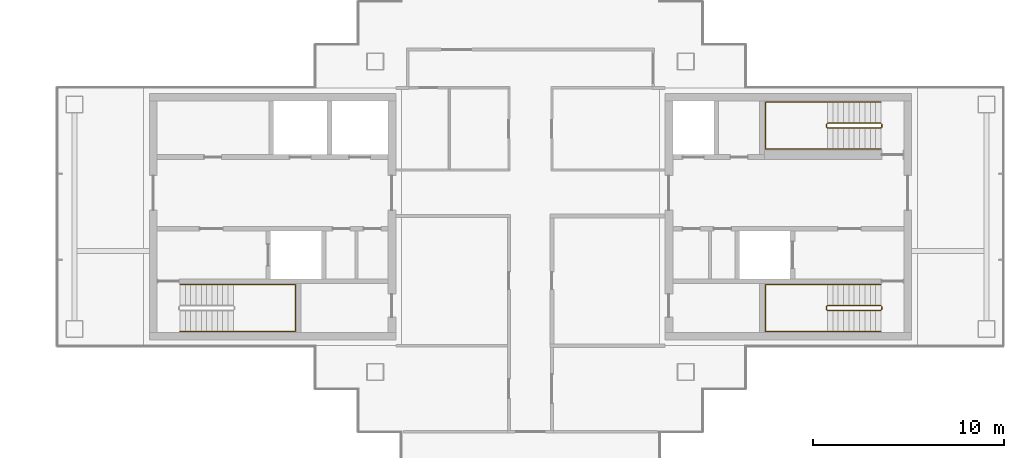
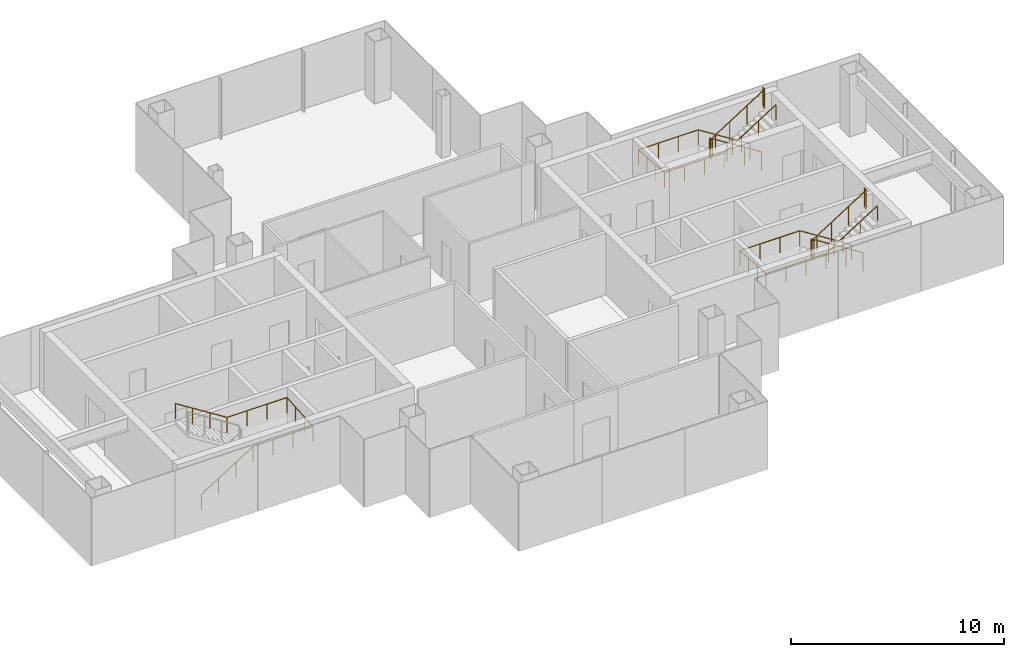
# One storey, part 15 of 16: 5 railings.
"""IFC4 building model written with IfcOpenShell, lengths in metres."""

from ifc_helpers import new_model, si_unit, direction, frame, origin, origin_2d, place, context, subcontext, project, spatial, circle, extrude, material, type_object, element, save


model = new_model("IFC4")

# Units and contexts
model_context = context("Model", 3, precision=1e-05, world=origin(), true_north=direction((0.0, 1.0)))
body_context = subcontext(model_context, "Body", "Model", "MODEL_VIEW")
ifc_project = project(units=[si_unit("LENGTHUNIT", "METRE"), si_unit("AREAUNIT", "SQUARE_METRE"), si_unit("VOLUMEUNIT", "CUBIC_METRE"), si_unit("PLANEANGLEUNIT", "RADIAN"), si_unit("MASSUNIT", "GRAM", prefix="KILO")], contexts=[model_context])

# Site, building, storey
site_placement = place(None, origin())
site = spatial("IfcSite", under=ifc_project, at=site_placement, CompositionType="ELEMENT")
building_placement = place(site_placement, origin())
building = spatial("IfcBuilding", under=site, at=building_placement, Name="Shamsa Quay Exchange Towers", CompositionType="ELEMENT")
storey_placement = place(building_placement, frame((0.0, 0.0, 261.60009765625)))
storey = spatial("IfcBuildingStorey", under=building, at=storey_placement, Name="L63", CompositionType="ELEMENT", Elevation=261.60009765625)

# Railings
ifc_material = material(Name="Stainless steel", Category="steel")
railing_type_1 = type_object("IfcRailingType", Name="STAIR GUARD 1100", PredefinedType="GUARDRAIL", material=ifc_material)
railing_1_placement = place(storey_placement, frame((52.10009765625, -4.64990234375, 0.17724609375)))
element("IfcRailing", 1, at=railing_1_placement, inside=storey, type_object=railing_type_1, Name="L63 ST5 stair guard 1", PredefinedType="GUARDRAIL", context=body_context, shape_type="SweptSolid", body=[
    extrude(circle(Radius=0.02392578125, at=origin_2d()), frame((0.0, 0.0, 1.076171875), z_axis=(-0.844908973607, 0.0, 0.534910110503), x_axis=(0.0, -1.0, 0.0)), (0.0, 0.0, 1.0), 3.31396484375),
    extrude(circle(Radius=0.02392578125, at=origin_2d()), frame((-2.800048828125, 0.0, 2.8486328125), z_axis=(-0.707106781187, -0.707106781187, 0.0), x_axis=(0.707106781187, -0.707106781187, 0.0)), (0.0, 0.0, 1.0), 0.07080078125),
    extrude(circle(Radius=0.02392578125, at=origin_2d()), frame((-2.85009765625, -0.050048828125, 2.8486328125), z_axis=(0.0, -1.0, 0.0), x_axis=(1.0, 0.0, 0.0)), (0.0, 0.0, 1.0), 0.150146484375),
    extrude(circle(Radius=0.02392578125, at=origin_2d()), frame((-2.85009765625, -0.2001953125, 2.8486328125), z_axis=(0.262321481514, -0.261041864531, 0.929001929653), x_axis=(0.705375805398, 0.708833529934, 0.0)), (0.0, 0.0, 1.0), 0.190673828125),
    extrude(circle(Radius=0.02392578125, at=origin_2d()), frame((-2.800048828125, -0.25, 3.02587890625), z_axis=(0.844908973607, 0.0, 0.534910110503), x_axis=(0.0, 1.0, 0.0)), (0.0, 0.0, 1.0), 3.31396484375),
    extrude(circle(Radius=0.02392578125, at=origin_2d()), frame((0.0, -0.25, 4.798828125), z_axis=(0.241699205484, 0.970351222016, 0.0), x_axis=(-0.970351222016, 0.241699205484, 0.0)), (0.0, 0.0, 1.0), 0.2060546875),
    extrude(circle(Radius=0.02392578125, at=origin_2d()), frame((0.0498046875, -0.050048828125, 4.798828125), z_axis=(0.0, -1.0, 0.0), x_axis=(1.0, 0.0, 0.0)), (0.0, 0.0, 1.0), 0.150146484375),
    extrude(circle(Radius=0.02099609375, at=origin_2d()), origin(), (0.0, 0.0, 1.0), 1.052001953125),
    extrude(circle(Radius=0.02099609375, at=origin_2d()), frame((-0.933349609375, 0.0, 0.5908203125)), (0.0, 0.0, 1.0), 1.052001953125),
    extrude(circle(Radius=0.02099609375, at=origin_2d()), frame((-1.86669921875, 0.0, 1.181884765625)), (0.0, 0.0, 1.0), 1.052001953125),
    extrude(circle(Radius=0.02099609375, at=origin_2d()), frame((-2.800048828125, 0.0, 1.772705078125)), (0.0, 0.0, 1.0), 1.052001953125),
    extrude(circle(Radius=0.02099609375, at=origin_2d()), frame((-2.85009765625, -0.050048828125, 1.772705078125)), (0.0, 0.0, 1.0), 1.052001953125),
    extrude(circle(Radius=0.02099609375, at=origin_2d()), frame((-2.85009765625, -0.2001953125, 1.772705078125)), (0.0, 0.0, 1.0), 1.052001953125),
    extrude(circle(Radius=0.02099609375, at=origin_2d()), frame((-2.800048828125, -0.25, 1.949951171875)), (0.0, 0.0, 1.0), 1.052001953125),
    extrude(circle(Radius=0.02099609375, at=origin_2d()), frame((-1.86669921875, -0.25, 2.540771484375)), (0.0, 0.0, 1.0), 1.052001953125),
    extrude(circle(Radius=0.02099609375, at=origin_2d()), frame((-0.933349609375, -0.25, 3.1318359375)), (0.0, 0.0, 1.0), 1.052001953125),
    extrude(circle(Radius=0.02099609375, at=origin_2d()), frame((0.0, -0.25, 3.72265625)), (0.0, 0.0, 1.0), 1.052001953125),
    extrude(circle(Radius=0.02099609375, at=origin_2d()), frame((0.0498046875, -0.050048828125, 3.72265625)), (0.0, 0.0, 1.0), 1.052001953125),
    extrude(circle(Radius=0.02099609375, at=origin_2d()), frame((0.0498046875, -0.2001953125, 3.72265625)), (0.0, 0.0, 1.0), 1.052001953125),
])
railing_2_placement = place(storey_placement, frame((52.10009765625, 4.89990234375, 0.17724609375)))
element("IfcRailing", 2, at=railing_2_placement, inside=storey, type_object=railing_type_1, Name="L63 ST6 stair guard 1", PredefinedType="GUARDRAIL", context=body_context, shape_type="SweptSolid", body=[
    extrude(circle(Radius=0.02392578125, at=origin_2d()), frame((0.0, 0.0, 1.076171875), z_axis=(-0.844908973607, 0.0, 0.534910110503), x_axis=(0.0, -1.0, 0.0)), (0.0, 0.0, 1.0), 3.31396484375),
    extrude(circle(Radius=0.02392578125, at=origin_2d()), frame((-2.800048828125, 0.0, 2.8486328125), z_axis=(-0.708833529934, -0.705375805398, 0.0), x_axis=(0.705375805398, -0.708833529934, 0.0)), (0.0, 0.0, 1.0), 0.070556640625),
    extrude(circle(Radius=0.02392578125, at=origin_2d()), frame((-2.85009765625, -0.0498046875, 2.8486328125), z_axis=(0.0, -1.0, 0.0), x_axis=(1.0, 0.0, 0.0)), (0.0, 0.0, 1.0), 0.150146484375),
    extrude(circle(Radius=0.02392578125, at=origin_2d()), frame((-2.85009765625, -0.199951171875, 2.8486328125), z_axis=(0.262233686654, -0.262233686654, 0.928691007369), x_axis=(0.707106781187, 0.707106781187, 0.0)), (0.0, 0.0, 1.0), 0.19091796875),
    extrude(circle(Radius=0.02392578125, at=origin_2d()), frame((-2.800048828125, -0.25, 3.02587890625), z_axis=(0.844908973607, 0.0, 0.534910110503), x_axis=(0.0, 1.0, 0.0)), (0.0, 0.0, 1.0), 3.31396484375),
    extrude(circle(Radius=0.02392578125, at=origin_2d()), frame((0.0, -0.25, 4.798828125), z_axis=(0.24142163986, 0.970420317083, 0.0), x_axis=(-0.970420317083, 0.24142163986, 0.0)), (0.0, 0.0, 1.0), 0.206298828125),
    extrude(circle(Radius=0.02392578125, at=origin_2d()), frame((0.0498046875, -0.0498046875, 4.798828125), z_axis=(0.0, -1.0, 0.0), x_axis=(1.0, 0.0, 0.0)), (0.0, 0.0, 1.0), 0.150146484375),
    extrude(circle(Radius=0.02099609375, at=origin_2d()), origin(), (0.0, 0.0, 1.0), 1.052001953125),
    extrude(circle(Radius=0.02099609375, at=origin_2d()), frame((-0.933349609375, 0.0, 0.5908203125)), (0.0, 0.0, 1.0), 1.052001953125),
    extrude(circle(Radius=0.02099609375, at=origin_2d()), frame((-1.86669921875, 0.0, 1.181884765625)), (0.0, 0.0, 1.0), 1.052001953125),
    extrude(circle(Radius=0.02099609375, at=origin_2d()), frame((-2.800048828125, 0.0, 1.772705078125)), (0.0, 0.0, 1.0), 1.052001953125),
    extrude(circle(Radius=0.02099609375, at=origin_2d()), frame((-2.85009765625, -0.0498046875, 1.772705078125)), (0.0, 0.0, 1.0), 1.052001953125),
    extrude(circle(Radius=0.02099609375, at=origin_2d()), frame((-2.85009765625, -0.199951171875, 1.772705078125)), (0.0, 0.0, 1.0), 1.052001953125),
    extrude(circle(Radius=0.02099609375, at=origin_2d()), frame((-2.800048828125, -0.25, 1.949951171875)), (0.0, 0.0, 1.0), 1.052001953125),
    extrude(circle(Radius=0.02099609375, at=origin_2d()), frame((-1.86669921875, -0.25, 2.540771484375)), (0.0, 0.0, 1.0), 1.052001953125),
    extrude(circle(Radius=0.02099609375, at=origin_2d()), frame((-0.933349609375, -0.25, 3.1318359375)), (0.0, 0.0, 1.0), 1.052001953125),
    extrude(circle(Radius=0.02099609375, at=origin_2d()), frame((0.0, -0.25, 3.72265625)), (0.0, 0.0, 1.0), 1.052001953125),
    extrude(circle(Radius=0.02099609375, at=origin_2d()), frame((0.0498046875, -0.0498046875, 3.72265625)), (0.0, 0.0, 1.0), 1.052001953125),
    extrude(circle(Radius=0.02099609375, at=origin_2d()), frame((0.0498046875, -0.199951171875, 3.72265625)), (0.0, 0.0, 1.0), 1.052001953125),
])
railing_type_2 = type_object("IfcRailingType", Name="STAIR HANDRAIL 900", PredefinedType="HANDRAIL", material=ifc_material)
railing_3_placement = place(storey_placement, frame((15.39990234375, -6.0, 0.17724609375)))
element("IfcRailing", 3, at=railing_3_placement, inside=storey, type_object=railing_type_2, Name="L63 ST4 stair handrail 1", PredefinedType="HANDRAIL", context=body_context, shape_type="SweptSolid", body=[
    extrude(circle(Radius=0.02392578125, at=origin_2d()), frame((0.0, 0.0, 0.8759765625), z_axis=(0.844908973607, 0.0, 0.534910110503), x_axis=(0.0, 1.0, 0.0)), (0.0, 0.0, 1.0), 3.31396484375),
    extrude(circle(Radius=0.02392578125, at=origin_2d()), frame((2.800048828125, 0.0, 2.6484375), z_axis=(1.0, 0.0, 0.0), x_axis=(0.0, 1.0, 0.0)), (0.0, 0.0, 1.0), 3.25),
    extrude(circle(Radius=0.02392578125, at=origin_2d()), frame((6.050048828125, 0.0, 2.6484375), z_axis=(0.0, 0.997393199914, 0.07215819264), x_axis=(-1.0, 0.0, 0.0)), (0.0, 0.0, 1.0), 2.456298828125),
    extrude(circle(Radius=0.02392578125, at=origin_2d()), frame((6.050048828125, 2.449951171875, 2.82568359375), z_axis=(-1.0, 0.0, 0.0), x_axis=(0.0, -1.0, 0.0)), (0.0, 0.0, 1.0), 3.25),
    extrude(circle(Radius=0.02392578125, at=origin_2d()), frame((2.800048828125, 2.449951171875, 2.82568359375), z_axis=(-0.844908973607, 0.0, 0.534910110503), x_axis=(0.0, -1.0, 0.0)), (0.0, 0.0, 1.0), 3.31396484375),
    extrude(circle(Radius=0.02099609375, at=origin_2d()), origin(), (0.0, 0.0, 1.0), 0.851806640625),
    extrude(circle(Radius=0.02099609375, at=origin_2d()), frame((0.933349609375, 0.0, 0.5908203125)), (0.0, 0.0, 1.0), 0.851806640625),
    extrude(circle(Radius=0.02099609375, at=origin_2d()), frame((1.86669921875, 0.0, 1.181884765625)), (0.0, 0.0, 1.0), 0.851806640625),
    extrude(circle(Radius=0.02099609375, at=origin_2d()), frame((2.800048828125, 0.0, 1.772705078125)), (0.0, 0.0, 1.0), 0.851806640625),
    extrude(circle(Radius=0.02099609375, at=origin_2d()), frame((3.88330078125, 0.0, 1.772705078125)), (0.0, 0.0, 1.0), 0.851806640625),
    extrude(circle(Radius=0.02099609375, at=origin_2d()), frame((4.966796875, 0.0, 1.772705078125)), (0.0, 0.0, 1.0), 0.851806640625),
    extrude(circle(Radius=0.02099609375, at=origin_2d()), frame((6.050048828125, 0.0, 1.772705078125)), (0.0, 0.0, 1.0), 0.851806640625),
    extrude(circle(Radius=0.02099609375, at=origin_2d()), frame((6.050048828125, 0.816650390625, 1.831787109375)), (0.0, 0.0, 1.0), 0.851806640625),
    extrude(circle(Radius=0.02099609375, at=origin_2d()), frame((6.050048828125, 1.63330078125, 1.890869140625)), (0.0, 0.0, 1.0), 0.851806640625),
    extrude(circle(Radius=0.02099609375, at=origin_2d()), frame((6.050048828125, 2.449951171875, 1.949951171875)), (0.0, 0.0, 1.0), 0.851806640625),
    extrude(circle(Radius=0.02099609375, at=origin_2d()), frame((4.966796875, 2.449951171875, 1.949951171875)), (0.0, 0.0, 1.0), 0.851806640625),
    extrude(circle(Radius=0.02099609375, at=origin_2d()), frame((3.88330078125, 2.449951171875, 1.949951171875)), (0.0, 0.0, 1.0), 0.851806640625),
    extrude(circle(Radius=0.02099609375, at=origin_2d()), frame((2.800048828125, 2.449951171875, 1.949951171875)), (0.0, 0.0, 1.0), 0.851806640625),
    extrude(circle(Radius=0.02099609375, at=origin_2d()), frame((1.86669921875, 2.449951171875, 2.540771484375)), (0.0, 0.0, 1.0), 0.851806640625),
    extrude(circle(Radius=0.02099609375, at=origin_2d()), frame((0.933349609375, 2.449951171875, 3.1318359375)), (0.0, 0.0, 1.0), 0.851806640625),
    extrude(circle(Radius=0.02099609375, at=origin_2d()), frame((0.0, 2.449951171875, 3.72265625)), (0.0, 0.0, 1.0), 0.851806640625),
])
railing_4_placement = place(storey_placement, frame((52.10009765625, -3.550048828125, 0.17724609375)))
element("IfcRailing", 4, at=railing_4_placement, inside=storey, type_object=railing_type_2, Name="L63 ST5 stair handrail 1", PredefinedType="HANDRAIL", context=body_context, shape_type="SweptSolid", body=[
    extrude(circle(Radius=0.02392578125, at=origin_2d()), frame((0.0, 0.0, 0.8759765625), z_axis=(-0.844908973607, 0.0, 0.534910110503), x_axis=(0.0, -1.0, 0.0)), (0.0, 0.0, 1.0), 3.31396484375),
    extrude(circle(Radius=0.02392578125, at=origin_2d()), frame((-2.800048828125, 0.0, 2.6484375), z_axis=(-1.0, 0.0, 0.0), x_axis=(0.0, -1.0, 0.0)), (0.0, 0.0, 1.0), 3.25),
    extrude(circle(Radius=0.02392578125, at=origin_2d()), frame((-6.050048828125, 0.0, 2.6484375), z_axis=(0.0, -0.997393199914, 0.07215819264), x_axis=(1.0, 0.0, 0.0)), (0.0, 0.0, 1.0), 2.456298828125),
    extrude(circle(Radius=0.02392578125, at=origin_2d()), frame((-6.050048828125, -2.449951171875, 2.82568359375), z_axis=(1.0, 0.0, 0.0), x_axis=(0.0, 1.0, 0.0)), (0.0, 0.0, 1.0), 3.25),
    extrude(circle(Radius=0.02392578125, at=origin_2d()), frame((-2.800048828125, -2.449951171875, 2.82568359375), z_axis=(0.844908973607, 0.0, 0.534910110503), x_axis=(0.0, 1.0, 0.0)), (0.0, 0.0, 1.0), 3.31396484375),
    extrude(circle(Radius=0.02099609375, at=origin_2d()), origin(), (0.0, 0.0, 1.0), 0.851806640625),
    extrude(circle(Radius=0.02099609375, at=origin_2d()), frame((-0.933349609375, 0.0, 0.5908203125)), (0.0, 0.0, 1.0), 0.851806640625),
    extrude(circle(Radius=0.02099609375, at=origin_2d()), frame((-1.86669921875, 0.0, 1.181884765625)), (0.0, 0.0, 1.0), 0.851806640625),
    extrude(circle(Radius=0.02099609375, at=origin_2d()), frame((-2.800048828125, 0.0, 1.772705078125)), (0.0, 0.0, 1.0), 0.851806640625),
    extrude(circle(Radius=0.02099609375, at=origin_2d()), frame((-3.88330078125, 0.0, 1.772705078125)), (0.0, 0.0, 1.0), 0.851806640625),
    extrude(circle(Radius=0.02099609375, at=origin_2d()), frame((-4.966796875, 0.0, 1.772705078125)), (0.0, 0.0, 1.0), 0.851806640625),
    extrude(circle(Radius=0.02099609375, at=origin_2d()), frame((-6.050048828125, 0.0, 1.772705078125)), (0.0, 0.0, 1.0), 0.851806640625),
    extrude(circle(Radius=0.02099609375, at=origin_2d()), frame((-6.050048828125, -0.816650390625, 1.831787109375)), (0.0, 0.0, 1.0), 0.851806640625),
    extrude(circle(Radius=0.02099609375, at=origin_2d()), frame((-6.050048828125, -1.63330078125, 1.890869140625)), (0.0, 0.0, 1.0), 0.851806640625),
    extrude(circle(Radius=0.02099609375, at=origin_2d()), frame((-6.050048828125, -2.449951171875, 1.949951171875)), (0.0, 0.0, 1.0), 0.851806640625),
    extrude(circle(Radius=0.02099609375, at=origin_2d()), frame((-4.966796875, -2.449951171875, 1.949951171875)), (0.0, 0.0, 1.0), 0.851806640625),
    extrude(circle(Radius=0.02099609375, at=origin_2d()), frame((-3.88330078125, -2.449951171875, 1.949951171875)), (0.0, 0.0, 1.0), 0.851806640625),
    extrude(circle(Radius=0.02099609375, at=origin_2d()), frame((-2.800048828125, -2.449951171875, 1.949951171875)), (0.0, 0.0, 1.0), 0.851806640625),
    extrude(circle(Radius=0.02099609375, at=origin_2d()), frame((-1.86669921875, -2.449951171875, 2.540771484375)), (0.0, 0.0, 1.0), 0.851806640625),
    extrude(circle(Radius=0.02099609375, at=origin_2d()), frame((-0.933349609375, -2.449951171875, 3.1318359375)), (0.0, 0.0, 1.0), 0.851806640625),
    extrude(circle(Radius=0.02099609375, at=origin_2d()), frame((0.0, -2.449951171875, 3.72265625)), (0.0, 0.0, 1.0), 0.851806640625),
])
railing_5_placement = place(storey_placement, frame((52.10009765625, 6.0, 0.17724609375)))
element("IfcRailing", 5, at=railing_5_placement, inside=storey, type_object=railing_type_2, Name="L63 ST6 stair handrail 1", PredefinedType="HANDRAIL", context=body_context, shape_type="SweptSolid", body=[
    extrude(circle(Radius=0.02392578125, at=origin_2d()), frame((0.0, 0.0, 0.8759765625), z_axis=(-0.844908973607, 0.0, 0.534910110503), x_axis=(0.0, -1.0, 0.0)), (0.0, 0.0, 1.0), 3.31396484375),
    extrude(circle(Radius=0.02392578125, at=origin_2d()), frame((-2.800048828125, 0.0, 2.6484375), z_axis=(-1.0, 0.0, 0.0), x_axis=(0.0, -1.0, 0.0)), (0.0, 0.0, 1.0), 3.25),
    extrude(circle(Radius=0.02392578125, at=origin_2d()), frame((-6.050048828125, 0.0, 2.6484375), z_axis=(0.0, -0.997393199914, 0.07215819264), x_axis=(1.0, 0.0, 0.0)), (0.0, 0.0, 1.0), 2.456298828125),
    extrude(circle(Radius=0.02392578125, at=origin_2d()), frame((-6.050048828125, -2.449951171875, 2.82568359375), z_axis=(1.0, 0.0, 0.0), x_axis=(0.0, 1.0, 0.0)), (0.0, 0.0, 1.0), 3.25),
    extrude(circle(Radius=0.02392578125, at=origin_2d()), frame((-2.800048828125, -2.449951171875, 2.82568359375), z_axis=(0.844908973607, 0.0, 0.534910110503), x_axis=(0.0, 1.0, 0.0)), (0.0, 0.0, 1.0), 3.31396484375),
    extrude(circle(Radius=0.02099609375, at=origin_2d()), origin(), (0.0, 0.0, 1.0), 0.851806640625),
    extrude(circle(Radius=0.02099609375, at=origin_2d()), frame((-0.933349609375, 0.0, 0.5908203125)), (0.0, 0.0, 1.0), 0.851806640625),
    extrude(circle(Radius=0.02099609375, at=origin_2d()), frame((-1.86669921875, 0.0, 1.181884765625)), (0.0, 0.0, 1.0), 0.851806640625),
    extrude(circle(Radius=0.02099609375, at=origin_2d()), frame((-2.800048828125, 0.0, 1.772705078125)), (0.0, 0.0, 1.0), 0.851806640625),
    extrude(circle(Radius=0.02099609375, at=origin_2d()), frame((-3.88330078125, 0.0, 1.772705078125)), (0.0, 0.0, 1.0), 0.851806640625),
    extrude(circle(Radius=0.02099609375, at=origin_2d()), frame((-4.966796875, 0.0, 1.772705078125)), (0.0, 0.0, 1.0), 0.851806640625),
    extrude(circle(Radius=0.02099609375, at=origin_2d()), frame((-6.050048828125, 0.0, 1.772705078125)), (0.0, 0.0, 1.0), 0.851806640625),
    extrude(circle(Radius=0.02099609375, at=origin_2d()), frame((-6.050048828125, -0.816650390625, 1.831787109375)), (0.0, 0.0, 1.0), 0.851806640625),
    extrude(circle(Radius=0.02099609375, at=origin_2d()), frame((-6.050048828125, -1.63330078125, 1.890869140625)), (0.0, 0.0, 1.0), 0.851806640625),
    extrude(circle(Radius=0.02099609375, at=origin_2d()), frame((-6.050048828125, -2.449951171875, 1.949951171875)), (0.0, 0.0, 1.0), 0.851806640625),
    extrude(circle(Radius=0.02099609375, at=origin_2d()), frame((-4.966796875, -2.449951171875, 1.949951171875)), (0.0, 0.0, 1.0), 0.851806640625),
    extrude(circle(Radius=0.02099609375, at=origin_2d()), frame((-3.88330078125, -2.449951171875, 1.949951171875)), (0.0, 0.0, 1.0), 0.851806640625),
    extrude(circle(Radius=0.02099609375, at=origin_2d()), frame((-2.800048828125, -2.449951171875, 1.949951171875)), (0.0, 0.0, 1.0), 0.851806640625),
    extrude(circle(Radius=0.02099609375, at=origin_2d()), frame((-1.86669921875, -2.449951171875, 2.540771484375)), (0.0, 0.0, 1.0), 0.851806640625),
    extrude(circle(Radius=0.02099609375, at=origin_2d()), frame((-0.933349609375, -2.449951171875, 3.1318359375)), (0.0, 0.0, 1.0), 0.851806640625),
    extrude(circle(Radius=0.02099609375, at=origin_2d()), frame((0.0, -2.449951171875, 3.72265625)), (0.0, 0.0, 1.0), 0.851806640625),
])

save(model, "model.ifc")
